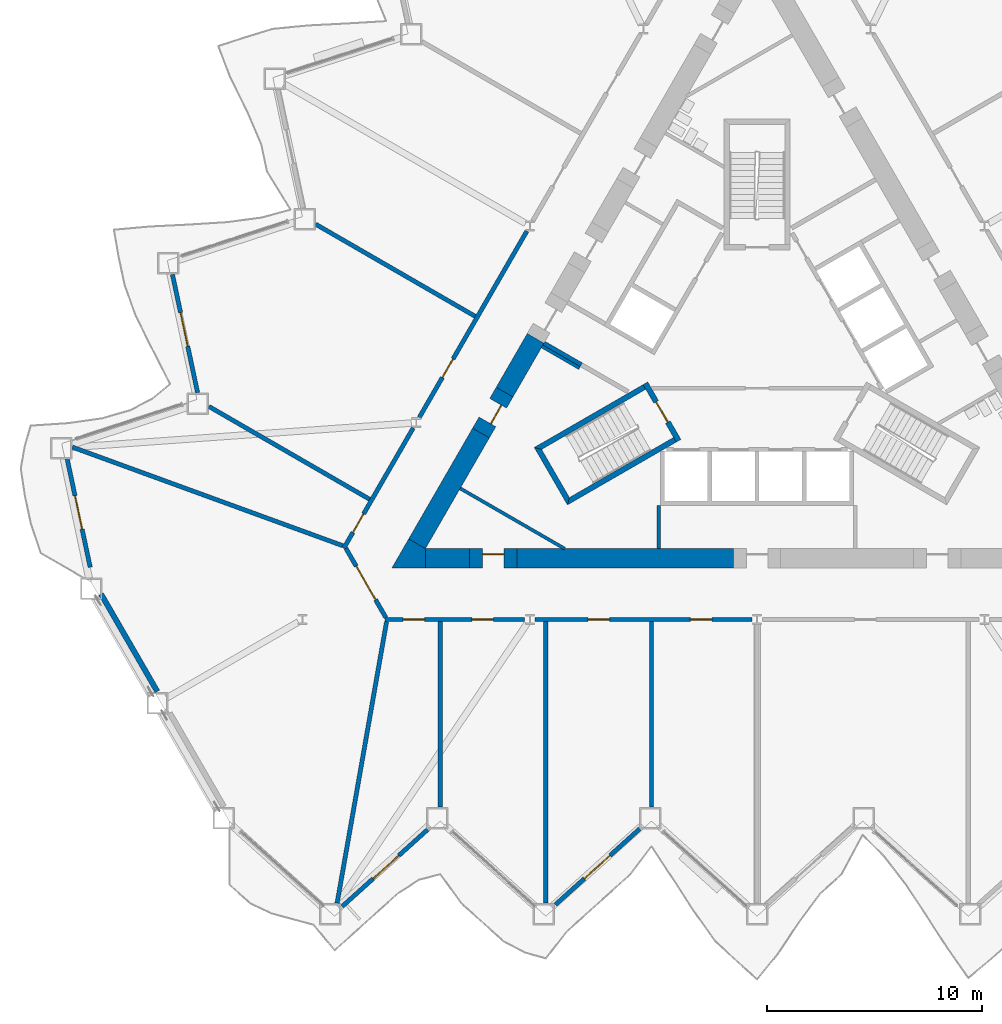
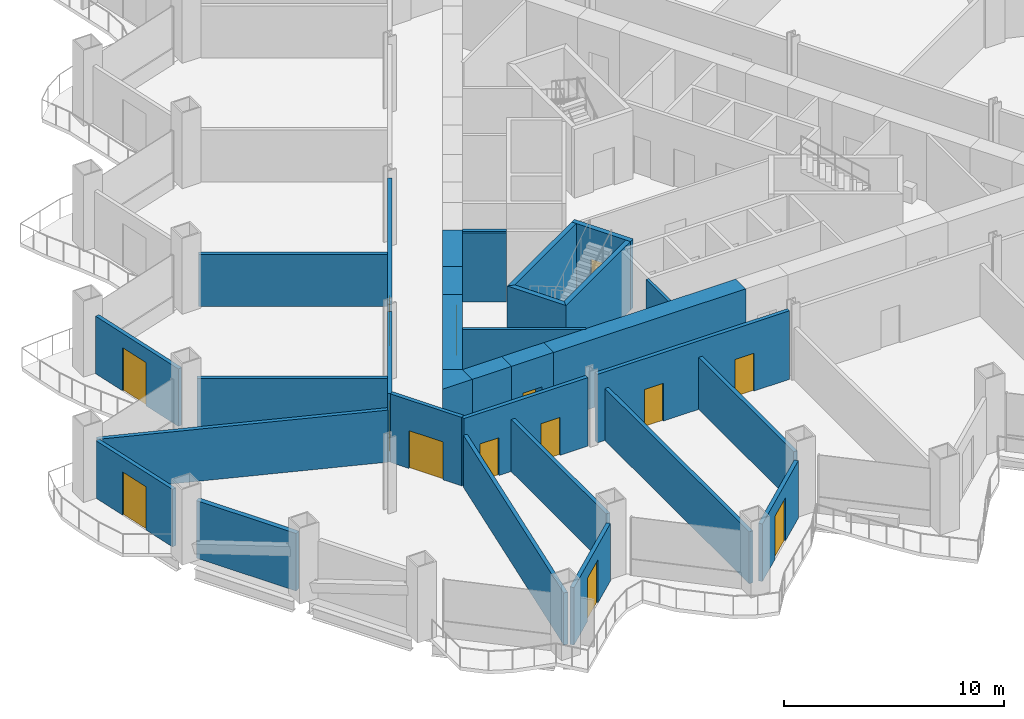
# One storey, part 9 of 21: 32 walls, 14 doors, 14 openings.
"""IFC4 building model written with IfcOpenShell, lengths in metres."""

from ifc_helpers import new_model, si_unit, direction, frame, frame_2d, origin, place, context, subcontext, project, spatial, polyline, rectangle, outline, extrude, material, layer, layer_set, type_object, element, fill, save


model = new_model("IFC4")

# Units and contexts
model_context = context("Model", 3, precision=1e-05, world=origin(), true_north=direction((0.0, 1.0)))
body_context = subcontext(model_context, "Body", "Model", "MODEL_VIEW")
ifc_project = project(units=[si_unit("LENGTHUNIT", "METRE"), si_unit("AREAUNIT", "SQUARE_METRE"), si_unit("VOLUMEUNIT", "CUBIC_METRE"), si_unit("PLANEANGLEUNIT", "RADIAN"), si_unit("MASSUNIT", "GRAM", prefix="KILO")], contexts=[model_context])

# Site, building, storey
site_placement = place(None, origin())
site = spatial("IfcSite", under=ifc_project, at=site_placement, CompositionType="ELEMENT")
building_placement = place(site_placement, origin())
building = spatial("IfcBuilding", under=site, at=building_placement, Name="Cormorant Prow Tower", CompositionType="ELEMENT")
storey_placement = place(building_placement, frame((0.0, 0.0, 72.0)))
storey = spatial("IfcBuildingStorey", under=building, at=storey_placement, Name="L15", CompositionType="ELEMENT", Elevation=72.0)

# Walls
ifc_material_1 = material(Name="Gypsum board partition")
ifc_layer_1 = layer(ifc_material_1, 0.14990234375)
ifc_layer_set_1 = layer_set([ifc_layer_1], Name="Gypsum board partition")
wall_type_1 = type_object("IfcWallType", Name="Core partition 150", PredefinedType="PARTITIONING", material=ifc_layer_set_1)
wall_1_placement = place(storey_placement, frame((-4.574951171875, -6.906005859375, 0.0), z_axis=(0.0, 0.0, 1.0), x_axis=(0.0, -1.0, 0.0)))
element("IfcWall", 1, at=wall_1_placement, inside=storey, type_object=wall_type_1, Name="Service room partition", PredefinedType="PARTITIONING", context=body_context, shape_type="SweptSolid", body=[
    extrude(rectangle(XDim=2.009033203125, YDim=0.14990234375, at=frame_2d((1.00439453125, 0.0))), origin(), (0.0, 0.0, 1.0), 3.800048828125),
])
wall_2_placement = place(storey_placement, frame((-8.268310546875, -0.509033203125, 0.0), z_axis=(0.0, 0.0, 1.0), x_axis=(-0.866035824272, 0.499981950752, 0.0)))
element("IfcWall", 2, at=wall_2_placement, inside=storey, type_object=wall_type_1, Name="Service room partition", PredefinedType="PARTITIONING", context=body_context, shape_type="SweptSolid", body=[
    extrude(rectangle(XDim=2.0087890625, YDim=0.14990234375, at=frame_2d((1.00439453125, 0.0))), origin(), (0.0, 0.0, 1.0), 3.800048828125),
])
wall_3_placement = place(storey_placement, frame((-13.822509765625, -6.111328125, 0.0), z_axis=(0.0, 0.0, 1.0), x_axis=(0.866026802741, -0.499997576928, 0.0)))
element("IfcWall", 3, at=wall_3_placement, inside=storey, type_object=wall_type_1, Name="Service room partition", PredefinedType="PARTITIONING", context=body_context, shape_type="SweptSolid", body=[
    extrude(rectangle(XDim=5.607421875, YDim=0.14990234375, at=frame_2d((2.8037109375, 0.0))), origin(), (0.0, 0.0, 1.0), 3.800048828125),
])
ifc_material_2 = material(Name="Concrete 8000 psi", Category="concrete")
ifc_layer_2 = layer(ifc_material_2, 0.89990234375)
ifc_layer_set_2 = layer_set([ifc_layer_2], Name="Concrete 8000 psi")
wall_type_2 = type_object("IfcWallType", Name="Core shear wall 900", PredefinedType="SHEAR", material=ifc_layer_set_2)
wall_4_placement = place(storey_placement, frame((-11.178955078125, -9.364990234375, 0.0), z_axis=(0.0, 0.0, 1.0), x_axis=(1.0, 0.0, 0.0)))
element("IfcWall", 4, at=wall_4_placement, inside=storey, type_object=wall_type_2, Name="Core wall", PredefinedType="SHEAR", context=body_context, shape_type="SweptSolid", body=[
    extrude(rectangle(XDim=10.078857421875, YDim=0.89990234375, at=frame_2d((5.03955078125, 0.0))), origin(), (0.0, 0.0, 1.0), 3.800048828125),
])
wall_5_placement = place(storey_placement, frame((-15.441162109375, -9.364990234375, 0.0), z_axis=(0.0, 0.0, 1.0), x_axis=(1.0, 0.0, 0.0)))
element("IfcWall", 5, at=wall_5_placement, inside=storey, type_object=wall_type_2, Name="Core wall", PredefinedType="SHEAR", context=body_context, shape_type="SweptSolid", body=[
    extrude(rectangle(XDim=2.062255859375, YDim=0.89990234375, at=frame_2d((1.03125, 0.0))), origin(), (0.0, 0.0, 1.0), 3.800048828125),
])
wall_6_placement = place(storey_placement, frame((-12.85498046875, -3.53564453125, 0.0), z_axis=(0.0, 0.0, 1.0), x_axis=(-0.499999419053, -0.866025739194, 0.0)))
element("IfcWall", 6, at=wall_6_placement, inside=storey, type_object=wall_type_2, Name="Core wall", PredefinedType="SHEAR", context=body_context, shape_type="SweptSolid", body=[
    extrude(rectangle(XDim=5.95166015625, YDim=0.89990234375, at=frame_2d((2.975830078125, 0.0))), origin(), (0.0, 0.0, 1.0), 3.800048828125),
])
wall_7_placement = place(storey_placement, frame((-10.310302734375, 0.8720703125, 0.0), z_axis=(0.0, 0.0, 1.0), x_axis=(-0.499946751862, -0.866056144429, 0.0)))
element("IfcWall", 7, at=wall_7_placement, inside=storey, type_object=wall_type_2, Name="Core wall", PredefinedType="SHEAR", context=body_context, shape_type="SweptSolid", body=[
    extrude(rectangle(XDim=2.889404296875, YDim=0.89990234375, at=frame_2d((1.44482421875, 0.0))), origin(), (0.0, 0.0, 1.0), 3.800048828125),
])
wall_8_placement = place(storey_placement, origin())
element("IfcWall", 8, at=wall_8_placement, inside=storey, type_object=wall_type_2, Name="Core wall corner", PredefinedType="SHEAR", context=body_context, shape_type="SweptSolid", body=[
    extrude(outline(polyline([(-16.220703125, -8.465087890625), (-15.441162109375, -8.9150390625), (-15.441162109375, -9.81494140625), (-17.0, -9.81494140625), (-16.220703125, -8.465087890625)])), origin(), (0.0, 0.0, 1.0), 3.800048828125),
])

# Wall, opening, door
wall_9_placement = place(storey_placement, frame((-13.37890625, -9.364990234375, 0.0), z_axis=(0.0, 0.0, 1.0), x_axis=(1.0, 0.0, 0.0)))
wall_9 = element("IfcWall", 9, at=wall_9_placement, inside=storey, type_object=wall_type_2, Name="Core wall door panel", PredefinedType="SHEAR", context=body_context, shape_type="SweptSolid", body=[
    extrude(rectangle(XDim=2.199951171875, YDim=0.89990234375, at=frame_2d((1.10009765625, 0.0))), origin(), (0.0, 0.0, 1.0), 3.800048828125),
])
opening_1_placement = place(wall_9_placement, frame((0.60009765625, 0.0, 0.0)))
opening_1 = element("IfcOpeningElement", 10, at=opening_1_placement, cuts=wall_9, Name="Opening L15-C14", PredefinedType="OPENING", context=body_context, shape_type="SweptSolid", body=[
    extrude(rectangle(XDim=1.0, YDim=2.10009765625, at=frame_2d((0.5, 1.050048828125))), frame((0.0, 0.4599609375, 0.0), z_axis=(0.0, -1.0, 0.0), x_axis=(1.0, 0.0, 0.0)), (0.0, 0.0, 1.0), 0.919921875),
])
ifc_material_3 = material(Name="Painted steel", Category="steel")
door_type_1 = type_object("IfcDoorType", Name="Service door 1000x2100", OperationType="NOTDEFINED", PredefinedType="DOOR", material=ifc_material_3)
door_1_placement = place(opening_1_placement, origin())
door_1 = element("IfcDoor", 11, at=door_1_placement, inside=storey, type_object=door_type_1, Name="Core door, Housekeeping store", OperationType="SINGLE_SWING_RIGHT", OverallHeight=2.10009765625, OverallWidth=1.0, PredefinedType="DOOR", context=body_context, shape_type="SweptSolid", body=[
    extrude(rectangle(XDim=1.0, YDim=2.10009765625, at=frame_2d((0.5, 1.050048828125))), frame((0.0, 0.205078125, 0.0), z_axis=(0.0, -1.0, 0.0), x_axis=(1.0, 0.0, 0.0)), (0.0, 0.0, 1.0), 0.050048828125),
])
fill(opening_1, door_1)

wall_10_placement = place(storey_placement, frame((-11.7548828125, -1.63037109375, 0.0), z_axis=(0.0, 0.0, 1.0), x_axis=(-0.50002983664, -0.866008176907, 0.0)))
wall_10 = element("IfcWall", 12, at=wall_10_placement, inside=storey, type_object=wall_type_2, Name="Core wall door panel", PredefinedType="SHEAR", context=body_context, shape_type="SweptSolid", body=[
    extrude(rectangle(XDim=2.199951171875, YDim=0.89990234375, at=frame_2d((1.10009765625, 0.0))), origin(), (0.0, 0.0, 1.0), 3.800048828125),
])
opening_2_placement = place(wall_10_placement, frame((0.60009765625, 0.0, 0.0)))
opening_2 = element("IfcOpeningElement", 13, at=opening_2_placement, cuts=wall_10, Name="Opening L15-C18", PredefinedType="OPENING", context=body_context, shape_type="SweptSolid", body=[
    extrude(rectangle(XDim=1.0, YDim=2.10009765625, at=frame_2d((0.5, 1.050048828125))), frame((0.0, 0.4599609375, 0.0), z_axis=(0.0, -1.0, 0.0), x_axis=(1.0, 0.0, 0.0)), (0.0, 0.0, 1.0), 0.919921875),
])
door_2_placement = place(opening_2_placement, origin())
door_2 = element("IfcDoor", 14, at=door_2_placement, inside=storey, type_object=door_type_1, Name="Core door, Housekeeping store", OperationType="SINGLE_SWING_LEFT", OverallHeight=2.10009765625, OverallWidth=1.0, PredefinedType="DOOR", context=body_context, shape_type="SweptSolid", body=[
    extrude(rectangle(XDim=1.0, YDim=2.10009765625, at=frame_2d((0.5, 1.050048828125))), frame((0.0, 0.205078125, 0.0), z_axis=(0.0, -1.0, 0.0), x_axis=(1.0, 0.0, 0.0)), (0.0, 0.0, 1.0), 0.050048828125),
])
fill(opening_2, door_2)

# Wall, openings, doors
ifc_material_4 = material(Name="Gypsum board corridor wall")
ifc_layer_3 = layer(ifc_material_4, 0.199951171875)
ifc_layer_set_3 = layer_set([ifc_layer_3], Name="Gypsum board corridor wall")
wall_type_3 = type_object("IfcWallType", Name="Corridor wall 200", PredefinedType="PARTITIONING", material=ifc_layer_set_3)
wall_11_placement = place(storey_placement, frame((-10.336181640625, -12.215087890625, 0.0), z_axis=(0.0, 0.0, 1.0), x_axis=(1.0, 0.0, 0.0)))
wall_11 = element("IfcWall", 15, at=wall_11_placement, inside=storey, type_object=wall_type_3, Name="Corridor wall", PredefinedType="PARTITIONING", context=body_context, shape_type="SweptSolid", body=[
    extrude(rectangle(XDim=10.093994140625, YDim=0.199951171875, at=frame_2d((5.046875, 0.0))), origin(), (0.0, 0.0, 1.0), 3.800048828125),
])
opening_3_placement = place(wall_11_placement, frame((2.474365234375, 0.0, 0.0)))
opening_3 = element("IfcOpeningElement", 16, at=opening_3_placement, cuts=wall_11, Name="Opening L15-F03", PredefinedType="OPENING", context=body_context, shape_type="SweptSolid", body=[
    extrude(rectangle(XDim=1.0, YDim=2.10009765625, at=frame_2d((0.5, 1.050048828125))), frame((0.0, 0.10986328125, 0.0), z_axis=(0.0, -1.0, 0.0), x_axis=(1.0, 0.0, 0.0)), (0.0, 0.0, 1.0), 0.219970703125),
])
opening_4_placement = place(wall_11_placement, frame((7.22607421875, 0.0, 0.0)))
opening_4 = element("IfcOpeningElement", 17, at=opening_4_placement, cuts=wall_11, Name="Opening L15-F04", PredefinedType="OPENING", context=body_context, shape_type="SweptSolid", body=[
    extrude(rectangle(XDim=1.0, YDim=2.10009765625, at=frame_2d((0.5, 1.050048828125))), frame((0.0, 0.10986328125, 0.0), z_axis=(0.0, -1.0, 0.0), x_axis=(1.0, 0.0, 0.0)), (0.0, 0.0, 1.0), 0.219970703125),
])
ifc_material_5 = material(Name="Timber door leaf", Category="wood")
door_type_2 = type_object("IfcDoorType", Name="Office door 1000x2100", OperationType="NOTDEFINED", PredefinedType="DOOR", material=ifc_material_5)
door_3_placement = place(opening_3_placement, origin())
door_3 = element("IfcDoor", 18, at=door_3_placement, inside=storey, type_object=door_type_2, Name="Meeting room door", OperationType="SINGLE_SWING_RIGHT", OverallHeight=2.10009765625, OverallWidth=1.0, PredefinedType="DOOR", context=body_context, shape_type="SweptSolid", body=[
    extrude(rectangle(XDim=1.0, YDim=2.10009765625, at=frame_2d((0.5, 1.050048828125))), frame((0.0, 0.02490234375, 0.0), z_axis=(0.0, -1.0, 0.0), x_axis=(1.0, 0.0, 0.0)), (0.0, 0.0, 1.0), 0.050048828125),
])
fill(opening_3, door_3)
door_4_placement = place(opening_4_placement, origin())
door_4 = element("IfcDoor", 19, at=door_4_placement, inside=storey, type_object=door_type_2, Name="Meeting room door", OperationType="SINGLE_SWING_LEFT", OverallHeight=2.10009765625, OverallWidth=1.0, PredefinedType="DOOR", context=body_context, shape_type="SweptSolid", body=[
    extrude(rectangle(XDim=1.0, YDim=2.10009765625, at=frame_2d((0.5, 1.050048828125))), frame((0.0, 0.02490234375, 0.0), z_axis=(0.0, -1.0, 0.0), x_axis=(1.0, 0.0, 0.0)), (0.0, 0.0, 1.0), 0.050048828125),
])
fill(opening_4, door_4)

# Wall, opening, door
wall_12_placement = place(storey_placement, frame((-15.727783203125, -2.811279296875, 0.0), z_axis=(0.0, 0.0, 1.0), x_axis=(0.49999175339, 0.866030164915, 0.0)))
wall_12 = element("IfcWall", 20, at=wall_12_placement, inside=storey, type_object=wall_type_3, Name="Corridor wall", PredefinedType="PARTITIONING", context=body_context, shape_type="SweptSolid", body=[
    extrude(rectangle(XDim=10.018798828125, YDim=0.199951171875, at=frame_2d((5.00927734375, 0.0))), origin(), (0.0, 0.0, 1.0), 3.800048828125),
])
opening_5_placement = place(wall_12_placement, frame((2.154296875, 0.0, 0.0)))
opening_5 = element("IfcOpeningElement", 21, at=opening_5_placement, cuts=wall_12, Name="Opening L15-F15", PredefinedType="OPENING", context=body_context, shape_type="SweptSolid", body=[
    extrude(rectangle(XDim=1.0, YDim=2.10009765625, at=frame_2d((0.5, 1.050048828125))), frame((0.0, 0.10986328125, 0.0), z_axis=(0.0, -1.0, 0.0), x_axis=(1.0, 0.0, 0.0)), (0.0, 0.0, 1.0), 0.219970703125),
])
door_5_placement = place(opening_5_placement, origin())
door_5 = element("IfcDoor", 22, at=door_5_placement, inside=storey, type_object=door_type_2, Name="Open-plan office door", OperationType="SINGLE_SWING_LEFT", OverallHeight=2.10009765625, OverallWidth=1.0, PredefinedType="DOOR", context=body_context, shape_type="SweptSolid", body=[
    extrude(rectangle(XDim=1.0, YDim=2.10009765625, at=frame_2d((0.5, 1.050048828125))), frame((0.0, 0.02490234375, 0.0), z_axis=(0.0, -1.0, 0.0), x_axis=(1.0, 0.0, 0.0)), (0.0, 0.0, 1.0), 0.050048828125),
])
fill(opening_5, door_5)

# Wall, openings, doors
wall_13_placement = place(storey_placement, frame((-17.330810546875, -12.215087890625, 0.0), z_axis=(0.0, 0.0, 1.0), x_axis=(1.0, 0.0, 0.0)))
wall_13 = element("IfcWall", 23, at=wall_13_placement, inside=storey, type_object=wall_type_3, Name="Corridor wall", PredefinedType="PARTITIONING", context=body_context, shape_type="SweptSolid", body=[
    extrude(rectangle(XDim=6.510009765625, YDim=0.199951171875, at=frame_2d((3.2548828125, 0.0))), origin(), (0.0, 0.0, 1.0), 3.800048828125),
])
opening_6_placement = place(wall_13_placement, frame((0.851318359375, 0.0, 0.0)))
opening_6 = element("IfcOpeningElement", 24, at=opening_6_placement, cuts=wall_13, Name="Opening L15-F01", PredefinedType="OPENING", context=body_context, shape_type="SweptSolid", body=[
    extrude(rectangle(XDim=1.0, YDim=2.10009765625, at=frame_2d((0.5, 1.050048828125))), frame((0.0, 0.10986328125, 0.0), z_axis=(0.0, -1.0, 0.0), x_axis=(1.0, 0.0, 0.0)), (0.0, 0.0, 1.0), 0.219970703125),
])
opening_7_placement = place(wall_13_placement, frame((4.0576171875, 0.0, 0.0)))
opening_7 = element("IfcOpeningElement", 25, at=opening_7_placement, cuts=wall_13, Name="Opening L15-F02", PredefinedType="OPENING", context=body_context, shape_type="SweptSolid", body=[
    extrude(rectangle(XDim=1.0, YDim=2.10009765625, at=frame_2d((0.5, 1.050048828125))), frame((0.0, 0.10986328125, 0.0), z_axis=(0.0, -1.0, 0.0), x_axis=(1.0, 0.0, 0.0)), (0.0, 0.0, 1.0), 0.219970703125),
])
door_6_placement = place(opening_6_placement, origin())
door_6 = element("IfcDoor", 26, at=door_6_placement, inside=storey, type_object=door_type_2, Name="Meeting room door", OperationType="SINGLE_SWING_RIGHT", OverallHeight=2.10009765625, OverallWidth=1.0, PredefinedType="DOOR", context=body_context, shape_type="SweptSolid", body=[
    extrude(rectangle(XDim=1.0, YDim=2.10009765625, at=frame_2d((0.5, 1.050048828125))), frame((0.0, 0.02490234375, 0.0), z_axis=(0.0, -1.0, 0.0), x_axis=(1.0, 0.0, 0.0)), (0.0, 0.0, 1.0), 0.050048828125),
])
fill(opening_6, door_6)
door_7_placement = place(opening_7_placement, origin())
door_7 = element("IfcDoor", 27, at=door_7_placement, inside=storey, type_object=door_type_2, Name="Meeting room door", OperationType="SINGLE_SWING_RIGHT", OverallHeight=2.10009765625, OverallWidth=1.0, PredefinedType="DOOR", context=body_context, shape_type="SweptSolid", body=[
    extrude(rectangle(XDim=1.0, YDim=2.10009765625, at=frame_2d((0.5, 1.050048828125))), frame((0.0, 0.02490234375, 0.0), z_axis=(0.0, -1.0, 0.0), x_axis=(1.0, 0.0, 0.0)), (0.0, 0.0, 1.0), 0.050048828125),
])
fill(opening_7, door_7)

# Wall, opening, door
wall_14_placement = place(storey_placement, frame((-19.243896484375, -8.901611328125, 0.0), z_axis=(0.0, 0.0, 1.0), x_axis=(0.499984737558, 0.86603421538, 0.0)))
wall_14 = element("IfcWall", 28, at=wall_14_placement, inside=storey, type_object=wall_type_3, Name="Corridor wall", PredefinedType="PARTITIONING", context=body_context, shape_type="SweptSolid", body=[
    extrude(rectangle(XDim=6.472900390625, YDim=0.199951171875, at=frame_2d((3.236328125, 0.0))), origin(), (0.0, 0.0, 1.0), 3.800048828125),
])
opening_8_placement = place(wall_14_placement, frame((0.85888671875, 0.0, 0.0)))
opening_8 = element("IfcOpeningElement", 29, at=opening_8_placement, cuts=wall_14, Name="Opening L15-F16", PredefinedType="OPENING", context=body_context, shape_type="SweptSolid", body=[
    extrude(rectangle(XDim=1.0, YDim=2.10009765625, at=frame_2d((0.5, 1.050048828125))), frame((0.0, 0.10986328125, 0.0), z_axis=(0.0, -1.0, 0.0), x_axis=(1.0, 0.0, 0.0)), (0.0, 0.0, 1.0), 0.219970703125),
])
door_8_placement = place(opening_8_placement, origin())
door_8 = element("IfcDoor", 30, at=door_8_placement, inside=storey, type_object=door_type_2, Name="Meeting room door", OperationType="SINGLE_SWING_RIGHT", OverallHeight=2.10009765625, OverallWidth=1.0, PredefinedType="DOOR", context=body_context, shape_type="SweptSolid", body=[
    extrude(rectangle(XDim=1.0, YDim=2.10009765625, at=frame_2d((0.5, 1.050048828125))), frame((0.0, 0.02490234375, 0.0), z_axis=(0.0, -1.0, 0.0), x_axis=(1.0, 0.0, 0.0)), (0.0, 0.0, 1.0), 0.050048828125),
])
fill(opening_8, door_8)

wall_15_placement = place(storey_placement, frame((-19.143798828125, -8.901611328125, 0.0), z_axis=(0.0, 0.0, 1.0), x_axis=(0.499958791762, -0.866049194065, 0.0)))
wall_15 = element("IfcWall", 31, at=wall_15_placement, inside=storey, type_object=wall_type_3, Name="Corridor wall", PredefinedType="PARTITIONING", context=body_context, shape_type="SweptSolid", body=[
    extrude(rectangle(XDim=3.725830078125, YDim=0.199951171875, at=frame_2d((1.86279296875, 0.0))), origin(), (0.0, 0.0, 1.0), 3.800048828125),
])
opening_9_placement = place(wall_15_placement, frame((0.962890625, 0.0, 0.0)))
opening_9 = element("IfcOpeningElement", 32, at=opening_9_placement, cuts=wall_15, Name="Opening L15-F17", PredefinedType="OPENING", context=body_context, shape_type="SweptSolid", body=[
    extrude(rectangle(XDim=1.800048828125, YDim=2.10009765625, at=frame_2d((0.89990234375, 1.050048828125))), frame((0.0, 0.10986328125, 0.0), z_axis=(0.0, -1.0, 0.0), x_axis=(1.0, 0.0, 0.0)), (0.0, 0.0, 1.0), 0.219970703125),
])
ifc_material_6 = material(Name="Timber door leaf", Category="wood")
door_type_3 = type_object("IfcDoorType", Name="Double door 1800x2100", OperationType="DOUBLE_DOOR_SINGLE_SWING", PredefinedType="DOOR", material=ifc_material_6)
door_9_placement = place(opening_9_placement, origin())
door_9 = element("IfcDoor", 33, at=door_9_placement, inside=storey, type_object=door_type_3, Name="Trading room door", OperationType="DOUBLE_DOOR_SINGLE_SWING", OverallHeight=2.10009765625, OverallWidth=1.800048828125, PredefinedType="DOOR", context=body_context, shape_type="SweptSolid", body=[
    extrude(rectangle(XDim=1.800048828125, YDim=2.10009765625, at=frame_2d((0.89990234375, 1.050048828125))), frame((0.0, 0.02490234375, 0.0), z_axis=(0.0, -1.0, 0.0), x_axis=(1.0, 0.0, 0.0)), (0.0, 0.0, 1.0), 0.050048828125),
])
fill(opening_9, door_9)

# Walls
ifc_material_7 = material(Name="Gypsum board demising wall")
ifc_layer_4 = layer(ifc_material_7, 0.199951171875)
ifc_layer_set_4 = layer_set([ifc_layer_4], Name="Gypsum board demising wall")
wall_type_4 = type_object("IfcWallType", Name="Demising wall 200", PredefinedType="PARTITIONING", material=ifc_layer_set_4)
wall_16_placement = place(storey_placement, frame((-31.87939453125, -4.1904296875, 0.0), z_axis=(0.0, 0.0, 1.0), x_axis=(0.939515478087, -0.34250644729, 0.0)))
element("IfcWall", 34, at=wall_16_placement, inside=storey, type_object=wall_type_4, Name="Demising wall", PredefinedType="PARTITIONING", context=body_context, shape_type="SweptSolid", body=[
    extrude(rectangle(XDim=13.402099609375, YDim=0.199951171875, at=frame_2d((6.701171875, 0.0))), origin(), (0.0, 0.0, 1.0), 2.88525390625),
])
wall_17_placement = place(storey_placement, frame((-19.552490234375, -25.42138671875, 0.0), z_axis=(0.0, 0.0, 1.0), x_axis=(0.173132292437, 0.984898578187, 0.0)))
element("IfcWall", 35, at=wall_17_placement, inside=storey, type_object=wall_type_4, Name="Demising wall", PredefinedType="PARTITIONING", context=body_context, shape_type="SweptSolid", body=[
    extrude(rectangle(XDim=13.308837890625, YDim=0.199951171875, at=frame_2d((6.654296875, 0.0))), origin(), (0.0, 0.0, 1.0), 2.88525390625),
])
wall_18_placement = place(storey_placement, frame((-9.833984375, -25.42138671875, 0.0), z_axis=(0.0, 0.0, 1.0), x_axis=(0.0, 1.0, 0.0)))
element("IfcWall", 36, at=wall_18_placement, inside=storey, type_object=wall_type_4, Name="Demising wall", PredefinedType="PARTITIONING", context=body_context, shape_type="SweptSolid", body=[
    extrude(rectangle(XDim=13.1064453125, YDim=0.199951171875, at=frame_2d((6.55322265625, 0.0))), origin(), (0.0, 0.0, 1.0), 2.88525390625),
])
wall_19_placement = place(storey_placement, frame((-25.52392578125, -2.296875, 0.0), z_axis=(0.0, 0.0, 1.0), x_axis=(0.866036909293, -0.499980071345, 0.0)))
element("IfcWall", 37, at=wall_19_placement, inside=storey, type_object=wall_type_4, Name="Demising wall", PredefinedType="PARTITIONING", context=body_context, shape_type="SweptSolid", body=[
    extrude(rectangle(XDim=8.640869140625, YDim=0.199951171875, at=frame_2d((4.3203125, 0.0))), origin(), (0.0, 0.0, 1.0), 2.88525390625),
])
for number, where, z_axis, x_axis, name in (
    (38, (-14.751220703125, -20.949951171875, 0.0), (0.0, 0.0, 1.0), (0.0, 1.0, 0.0), "Demising wall"),
    (39, (-4.9169921875, -20.949951171875, 0.0), (0.0, 0.0, 1.0), (0.0, 1.0, 0.0), "Demising wall"),
):
    element("IfcWall", number, at=place(storey_placement, frame(where, z_axis=z_axis, x_axis=x_axis)), inside=storey, type_object=wall_type_4, Name=name, PredefinedType="PARTITIONING", context=body_context, shape_type="SweptSolid", body=[
        extrude(rectangle(XDim=8.635009765625, YDim=0.199951171875, at=frame_2d((4.3173828125, 0.0))), origin(), (0.0, 0.0, 1.0), 2.88525390625),
    ])
wall_20_placement = place(storey_placement, frame((-20.557861328125, 6.19140625, 0.0), z_axis=(0.0, 0.0, 1.0), x_axis=(0.866024086673, -0.500002281298, 0.0)))
element("IfcWall", 40, at=wall_20_placement, inside=storey, type_object=wall_type_4, Name="Demising wall", PredefinedType="PARTITIONING", context=body_context, shape_type="SweptSolid", body=[
    extrude(rectangle(XDim=8.58447265625, YDim=0.199951171875, at=frame_2d((4.292236328125, 0.0))), origin(), (0.0, 0.0, 1.0), 2.88525390625),
])
ifc_material_8 = material(Name="Concrete 8000 psi", Category="concrete")
ifc_layer_5 = layer(ifc_material_8, 0.199951171875)
ifc_layer_set_5 = layer_set([ifc_layer_5], Name="Concrete 8000 psi")
wall_type_5 = type_object("IfcWallType", Name="Lift shaft wall 200", PredefinedType="SHEAR", material=ifc_layer_set_5)
wall_21_placement = place(storey_placement, frame((-8.180908203125, -0.357421875, 0.0), z_axis=(0.0, 0.0, 1.0), x_axis=(-0.866035824272, 0.499981950752, 0.0)))
element("IfcWall", 41, at=wall_21_placement, inside=storey, type_object=wall_type_5, Name="Lobby passage wall", PredefinedType="SHEAR", context=body_context, shape_type="SweptSolid", body=[
    extrude(rectangle(XDim=2.0087890625, YDim=0.199951171875, at=frame_2d((1.00439453125, 0.0))), origin(), (0.0, 0.0, 1.0), 3.800048828125),
])
ifc_material_9 = material(Name="Concrete 8000 psi", Category="concrete")
ifc_layer_6 = layer(ifc_material_9, 0.25)
ifc_layer_set_6 = layer_set([ifc_layer_6], Name="Concrete 8000 psi")
wall_type_6 = type_object("IfcWallType", Name="Stair wall 250", PredefinedType="SHEAR", material=ifc_layer_set_6)
wall_22_placement = place(storey_placement, origin())
element("IfcWall", 42, at=wall_22_placement, inside=storey, type_object=wall_type_6, Name="Stair ST1 enclosure wall (flank)", PredefinedType="SHEAR", context=body_context, shape_type="SweptSolid", body=[
    extrude(outline(polyline([(-5.30712890625, -1.28125), (-10.37353515625, -4.206298828125), (-10.031982421875, -4.2978515625), (-5.18212890625, -1.497802734375), (-5.30712890625, -1.28125)])), origin(), (0.0, 0.0, 1.0), 3.800048828125),
])
wall_23_placement = place(storey_placement, origin())
element("IfcWall", 43, at=wall_23_placement, inside=storey, type_object=wall_type_6, Name="Stair ST1 enclosure wall (end)", PredefinedType="SHEAR", context=body_context, shape_type="SweptSolid", body=[
    extrude(outline(polyline([(-10.37353515625, -4.206298828125), (-8.82958984375, -6.880615234375), (-8.738037109375, -6.5390625), (-10.031982421875, -4.2978515625), (-10.37353515625, -4.206298828125)])), origin(), (0.0, 0.0, 1.0), 3.800048828125),
])
wall_24_placement = place(storey_placement, origin())
element("IfcWall", 44, at=wall_24_placement, inside=storey, type_object=wall_type_6, Name="Stair ST1 enclosure wall (flank)", PredefinedType="SHEAR", context=body_context, shape_type="SweptSolid", body=[
    extrude(outline(polyline([(-8.738037109375, -6.5390625), (-8.82958984375, -6.880615234375), (-3.76318359375, -3.95556640625), (-3.88818359375, -3.739013671875), (-8.738037109375, -6.5390625)])), origin(), (0.0, 0.0, 1.0), 3.800048828125),
])

# Wall, opening, door
wall_25_placement = place(storey_placement, frame((-5.198974609375, -1.21875, 0.0), z_axis=(0.0, 0.0, 1.0), x_axis=(0.499982516597, -0.866035497597, 0.0)))
wall_25 = element("IfcWall", 45, at=wall_25_placement, inside=storey, type_object=wall_type_6, Name="Stair ST1 door wall", PredefinedType="SHEAR", context=body_context, shape_type="SweptSolid", body=[
    extrude(rectangle(XDim=3.087890625, YDim=0.25, at=frame_2d((1.5439453125, 0.0))), origin(), (0.0, 0.0, 1.0), 3.800048828125),
])
opening_10_placement = place(wall_25_placement, frame((0.993896484375, 0.0, 0.0)))
opening_10 = element("IfcOpeningElement", 46, at=opening_10_placement, cuts=wall_25, Name="Opening L15-C11", PredefinedType="OPENING", context=body_context, shape_type="SweptSolid", body=[
    extrude(rectangle(XDim=1.10009765625, YDim=2.10009765625, at=frame_2d((0.550048828125, 1.050048828125))), frame((0.0, 0.135009765625, 0.0), z_axis=(0.0, -1.0, 0.0), x_axis=(1.0, 0.0, 0.0)), (0.0, 0.0, 1.0), 0.27001953125),
])
ifc_material_10 = material(Name="Painted steel", Category="steel")
door_type_4 = type_object("IfcDoorType", Name="Stair door 1100x2100", OperationType="NOTDEFINED", PredefinedType="DOOR", material=ifc_material_10)
door_10_placement = place(opening_10_placement, origin())
door_10 = element("IfcDoor", 47, at=door_10_placement, inside=storey, type_object=door_type_4, Name="Stair ST1 door", OperationType="SINGLE_SWING_LEFT", OverallHeight=2.10009765625, OverallWidth=1.10009765625, PredefinedType="DOOR", context=body_context, shape_type="SweptSolid", body=[
    extrude(rectangle(XDim=1.10009765625, YDim=2.10009765625, at=frame_2d((0.550048828125, 1.050048828125))), frame((0.0, 0.02490234375, 0.0), z_axis=(0.0, -1.0, 0.0), x_axis=(1.0, 0.0, 0.0)), (0.0, 0.0, 1.0), 0.050048828125),
])
fill(opening_10, door_10)

# Wall
ifc_material_11 = material(Name="Terracotta", Category="masonry")
ifc_layer_7 = layer(ifc_material_11, 0.25)
ifc_layer_set_7 = layer_set([ifc_layer_7], Name="Terracotta")
wall_type_7 = type_object("IfcWallType", Name="Terracotta bay wall 250", PredefinedType="SOLIDWALL", material=ifc_layer_set_7)
wall_26_placement = place(storey_placement, frame((-30.540283203125, -11.036865234375, 0.0), z_axis=(0.0, 0.0, 1.0), x_axis=(0.500009302692, -0.866020032806, 0.0)))
element("IfcWall", 48, at=wall_26_placement, inside=storey, type_object=wall_type_7, Name="Terracotta bay wall WSW00", PredefinedType="SOLIDWALL", context=body_context, shape_type="SweptSolid", body=[
    extrude(rectangle(XDim=5.23095703125, YDim=0.25, at=frame_2d((2.615478515625, 0.0))), origin(), (0.0, 0.0, 1.0), 3.18896484375),
])

# Wall, opening, door
ifc_material_12 = material(Name="Terracotta", Category="masonry")
ifc_layer_8 = layer(ifc_material_12, 0.199951171875)
ifc_layer_set_8 = layer_set([ifc_layer_8], Name="Terracotta")
wall_type_8 = type_object("IfcWallType", Name="Terracotta jamb wall 200", PredefinedType="SOLIDWALL", material=ifc_layer_set_8)
wall_27_placement = place(storey_placement, frame((-19.310791015625, -25.572509765625, 0.0), z_axis=(0.0, 0.0, 1.0), x_axis=(0.743150982682, 0.669123768027, 0.0)))
wall_27 = element("IfcWall", 49, at=wall_27_placement, inside=storey, type_object=wall_type_8, Name="Terracotta jamb wall S01", PredefinedType="SOLIDWALL", context=body_context, shape_type="SweptSolid", body=[
    extrude(rectangle(XDim=5.3427734375, YDim=0.199951171875, at=frame_2d((2.67138671875, 0.0))), origin(), (0.0, 0.0, 1.0), 3.18896484375),
])
opening_11_placement = place(wall_27_placement, frame((1.937255859375, 0.0, 0.0)))
opening_11 = element("IfcOpeningElement", 50, at=opening_11_placement, cuts=wall_27, Name="Opening ED15.01", PredefinedType="OPENING", context=body_context, shape_type="SweptSolid", body=[
    extrude(rectangle(XDim=1.60009765625, YDim=2.39990234375, at=frame_2d((0.800048828125, 1.199951171875))), frame((0.0, 0.10986328125, 0.0), z_axis=(0.0, -1.0, 0.0), x_axis=(1.0, 0.0, 0.0)), (0.0, 0.0, 1.0), 0.219970703125),
])
ifc_material_13 = material(Name="Aluminium 6063-T6", Category="aluminium")
door_type_5 = type_object("IfcDoorType", Name="Balcony door 1600x2400", OperationType="DOUBLE_DOOR_SINGLE_SWING", PredefinedType="DOOR", material=ifc_material_13)
door_11_placement = place(opening_11_placement, origin())
door_11 = element("IfcDoor", 51, at=door_11_placement, inside=storey, type_object=door_type_5, Name="Balcony door S01 ED15.01", OperationType="DOUBLE_DOOR_SINGLE_SWING", OverallHeight=2.39990234375, OverallWidth=1.60009765625, PredefinedType="DOOR", context=body_context, shape_type="SweptSolid", body=[
    extrude(rectangle(XDim=1.60009765625, YDim=2.39990234375, at=frame_2d((0.800048828125, 1.199951171875))), frame((0.0, 0.02490234375, 0.0), z_axis=(0.0, -1.0, 0.0), x_axis=(1.0, 0.0, 0.0)), (0.0, 0.0, 1.0), 0.050048828125),
])
fill(opening_11, door_11)

wall_28_placement = place(storey_placement, frame((-9.385986328125, -25.49072265625, 0.0), z_axis=(0.0, 0.0, 1.0), x_axis=(0.74315149197, 0.669123202395, 0.0)))
wall_28 = element("IfcWall", 52, at=wall_28_placement, inside=storey, type_object=wall_type_8, Name="Terracotta jamb wall S03", PredefinedType="SOLIDWALL", context=body_context, shape_type="SweptSolid", body=[
    extrude(rectangle(XDim=5.276611328125, YDim=0.199951171875, at=frame_2d((2.63818359375, 0.0))), origin(), (0.0, 0.0, 1.0), 3.18896484375),
])
opening_12_placement = place(wall_28_placement, frame((1.8154296875, 0.0, 0.0)))
opening_12 = element("IfcOpeningElement", 53, at=opening_12_placement, cuts=wall_28, Name="Opening ED15.02", PredefinedType="OPENING", context=body_context, shape_type="SweptSolid", body=[
    extrude(rectangle(XDim=1.60009765625, YDim=2.39990234375, at=frame_2d((0.800048828125, 1.199951171875))), frame((0.0, 0.10986328125, 0.0), z_axis=(0.0, -1.0, 0.0), x_axis=(1.0, 0.0, 0.0)), (0.0, 0.0, 1.0), 0.219970703125),
])
door_12_placement = place(opening_12_placement, origin())
door_12 = element("IfcDoor", 54, at=door_12_placement, inside=storey, type_object=door_type_5, Name="Balcony door S03 ED15.02", OperationType="DOUBLE_DOOR_SINGLE_SWING", OverallHeight=2.39990234375, OverallWidth=1.60009765625, PredefinedType="DOOR", context=body_context, shape_type="SweptSolid", body=[
    extrude(rectangle(XDim=1.60009765625, YDim=2.39990234375, at=frame_2d((0.800048828125, 1.199951171875))), frame((0.0, 0.02490234375, 0.0), z_axis=(0.0, -1.0, 0.0), x_axis=(1.0, 0.0, 0.0)), (0.0, 0.0, 1.0), 0.050048828125),
])
fill(opening_12, door_12)

wall_29_placement = place(storey_placement, frame((-27.21826171875, 3.84765625, 0.0), z_axis=(0.0, 0.0, 1.0), x_axis=(0.207943350029, -0.978140870825, 0.0)))
wall_29 = element("IfcWall", 55, at=wall_29_placement, inside=storey, type_object=wall_type_8, Name="Terracotta jamb wall WNW07", PredefinedType="SOLIDWALL", context=body_context, shape_type="SweptSolid", body=[
    extrude(rectangle(XDim=5.626220703125, YDim=0.199951171875, at=frame_2d((2.81298828125, 0.0))), origin(), (0.0, 0.0, 1.0), 3.18896484375),
])
opening_13_placement = place(wall_29_placement, frame((1.822265625, 0.0, 0.0)))
opening_13 = element("IfcOpeningElement", 56, at=opening_13_placement, cuts=wall_29, Name="Opening ED15.14", PredefinedType="OPENING", context=body_context, shape_type="SweptSolid", body=[
    extrude(rectangle(XDim=1.60009765625, YDim=2.39990234375, at=frame_2d((0.800048828125, 1.199951171875))), frame((0.0, 0.10986328125, 0.0), z_axis=(0.0, -1.0, 0.0), x_axis=(1.0, 0.0, 0.0)), (0.0, 0.0, 1.0), 0.219970703125),
])
door_13_placement = place(opening_13_placement, origin())
door_13 = element("IfcDoor", 57, at=door_13_placement, inside=storey, type_object=door_type_5, Name="Balcony door WNW07 ED15.14", OperationType="DOUBLE_DOOR_SINGLE_SWING", OverallHeight=2.39990234375, OverallWidth=1.60009765625, PredefinedType="DOOR", context=body_context, shape_type="SweptSolid", body=[
    extrude(rectangle(XDim=1.60009765625, YDim=2.39990234375, at=frame_2d((0.800048828125, 1.199951171875))), frame((0.0, 0.02490234375, 0.0), z_axis=(0.0, -1.0, 0.0), x_axis=(1.0, 0.0, 0.0)), (0.0, 0.0, 1.0), 0.050048828125),
])
fill(opening_13, door_13)

wall_30_placement = place(storey_placement, frame((-32.131591796875, -4.685546875, 0.0), z_axis=(0.0, 0.0, 1.0), x_axis=(0.207896861912, -0.978150752598, 0.0)))
wall_30 = element("IfcWall", 58, at=wall_30_placement, inside=storey, type_object=wall_type_8, Name="Terracotta jamb wall WNW09", PredefinedType="SOLIDWALL", context=body_context, shape_type="SweptSolid", body=[
    extrude(rectangle(XDim=5.21044921875, YDim=0.199951171875, at=frame_2d((2.605224609375, 0.0))), origin(), (0.0, 0.0, 1.0), 3.18896484375),
])
opening_14_placement = place(wall_30_placement, frame((1.80517578125, 0.0, 0.0)))
opening_14 = element("IfcOpeningElement", 59, at=opening_14_placement, cuts=wall_30, Name="Opening ED15.15", PredefinedType="OPENING", context=body_context, shape_type="SweptSolid", body=[
    extrude(rectangle(XDim=1.60009765625, YDim=2.39990234375, at=frame_2d((0.800048828125, 1.199951171875))), frame((0.0, 0.10986328125, 0.0), z_axis=(0.0, -1.0, 0.0), x_axis=(1.0, 0.0, 0.0)), (0.0, 0.0, 1.0), 0.219970703125),
])
door_14_placement = place(opening_14_placement, origin())
door_14 = element("IfcDoor", 60, at=door_14_placement, inside=storey, type_object=door_type_5, Name="Balcony door WNW09 ED15.15", OperationType="DOUBLE_DOOR_SINGLE_SWING", OverallHeight=2.39990234375, OverallWidth=1.60009765625, PredefinedType="DOOR", context=body_context, shape_type="SweptSolid", body=[
    extrude(rectangle(XDim=1.60009765625, YDim=2.39990234375, at=frame_2d((0.800048828125, 1.199951171875))), frame((0.0, 0.02490234375, 0.0), z_axis=(0.0, -1.0, 0.0), x_axis=(1.0, 0.0, 0.0)), (0.0, 0.0, 1.0), 0.050048828125),
])
fill(opening_14, door_14)

save(model, "model.ifc")
